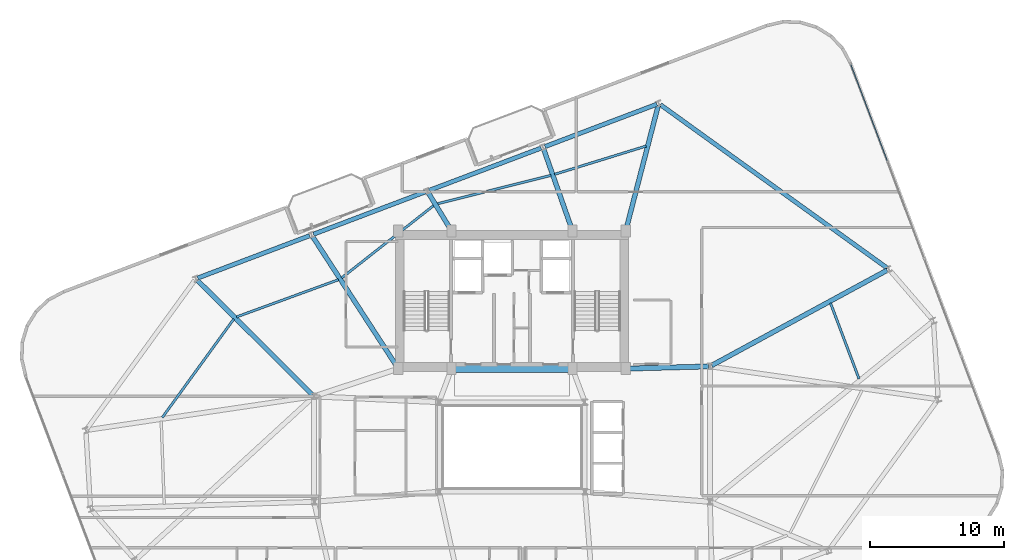
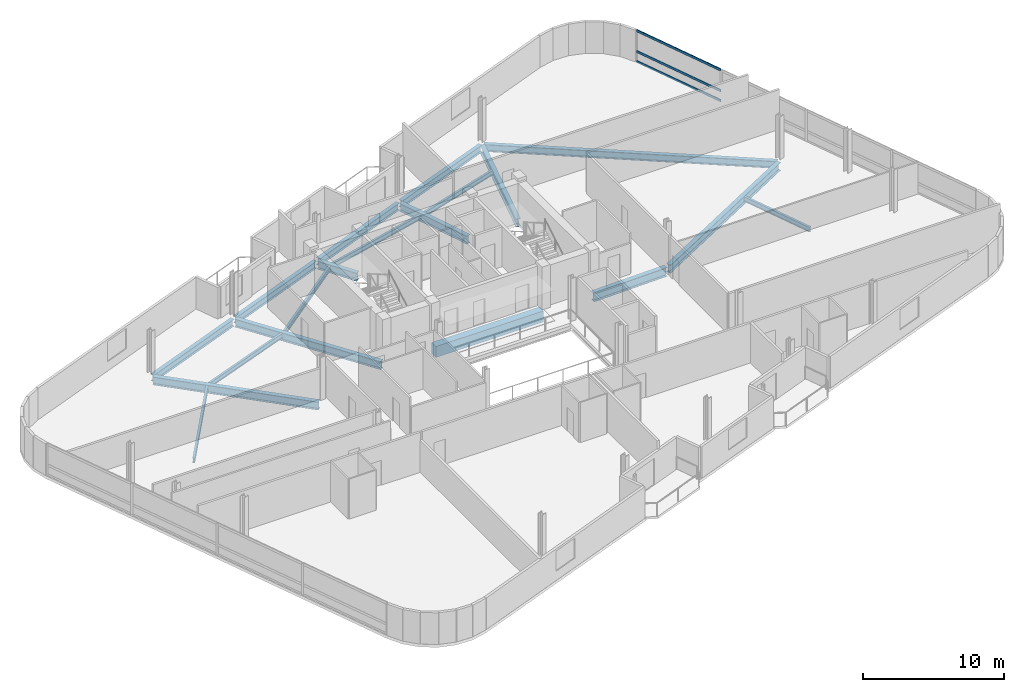
# One storey, part 9 of 19: 19 beams, 3 members, 1 element without a shape of its own.
"""IFC4 building model written with IfcOpenShell, lengths in metres."""

from ifc_helpers import new_model, si_unit, direction, frame, origin, origin_2d, place, context, subcontext, project, spatial, rectangle, hollow_rectangle, i_section, extrude, material, layer, layer_set, material_profile, profile_set, type_object, element, aggregate, save


model = new_model("IFC4")

# Units and contexts
model_context = context("Model", 3, precision=1e-05, world=origin(), true_north=direction((0.0, 1.0)))
body_context = subcontext(model_context, "Body", "Model", "MODEL_VIEW")
ifc_project = project(units=[si_unit("LENGTHUNIT", "METRE"), si_unit("AREAUNIT", "SQUARE_METRE"), si_unit("VOLUMEUNIT", "CUBIC_METRE"), si_unit("PLANEANGLEUNIT", "RADIAN"), si_unit("MASSUNIT", "GRAM", prefix="KILO")], contexts=[model_context])

# Site, building, storey
site_placement = place(None, origin())
site = spatial("IfcSite", under=ifc_project, at=site_placement, CompositionType="ELEMENT")
building_placement = place(site_placement, origin())
building = spatial("IfcBuilding", under=site, at=building_placement, Name="Varnelok Gate Tower", CompositionType="ELEMENT")
storey_placement = place(building_placement, frame((0.0, 0.0, 246.0)))
storey = spatial("IfcBuildingStorey", under=building, at=storey_placement, Name="L63", CompositionType="ELEMENT", Elevation=246.0)

# Beams
ifc_material_1 = material(Name="Structural Steel ASTM A992 Grade 50", Category="steel")
ifc_material_profile_1 = material_profile(ifc_material_1, i_section(OverallWidth=0.180908203125, OverallDepth=0.4169921875, WebThickness=0.010986328125, FlangeThickness=0.018310546875, FilletRadius=0.013916015625, at=origin_2d()), Name="W16X57")
ifc_profile_set_1 = profile_set([ifc_material_profile_1], Name="Structural Steel ASTM A992 Grade 50")
beam_type_1 = type_object("IfcBeamType", Name="BM-JST-W16X57", PredefinedType="JOIST", material=ifc_profile_set_1)
beam_1_placement = place(storey_placement, frame((65.143310546875, 27.989013671875, -0.45849609375), z_axis=(-0.352572889642, 0.935784354159, 0.0), x_axis=(-0.935784354159, -0.352572889642, 0.0)))
element("IfcBeam", 1, at=beam_1_placement, inside=storey, type_object=beam_type_1, Name="L63 Sector Floor Joist 6", PredefinedType="JOIST", context=body_context, shape_type="SweptSolid", body=[
    extrude(i_section(OverallWidth=0.180908203125, OverallDepth=0.4169921875, WebThickness=0.010986328125, FlangeThickness=0.018310546875, FilletRadius=0.013916015625, at=origin_2d()), origin(), (0.0, 0.0, 1.0), 6.052734375),
])
beam_2_placement = place(storey_placement, frame((49.2216796875, 45.388427734375, -0.45849609375), z_axis=(-0.955517656655, -0.294933904156, 0.0), x_axis=(0.294933904156, -0.955517656655, 0.0)))
element("IfcBeam", 2, at=beam_2_placement, inside=storey, type_object=beam_type_1, Name="L63 Sector Floor Joist 7", PredefinedType="JOIST", context=body_context, shape_type="SweptSolid", body=[
    extrude(i_section(OverallWidth=0.180908203125, OverallDepth=0.4169921875, WebThickness=0.010986328125, FlangeThickness=0.018310546875, FilletRadius=0.013916015625, at=origin_2d()), origin(), (0.0, 0.0, 1.0), 7.160400390625),
])
beam_3_placement = place(storey_placement, frame((42.1103515625, 43.201416015625, -0.45849609375), z_axis=(-0.970160511959, -0.242463566409, 0.0), x_axis=(0.242463566409, -0.970160511959, 0.0)))
element("IfcBeam", 3, at=beam_3_placement, inside=storey, type_object=beam_type_1, Name="L63 Sector Floor Joist 8", PredefinedType="JOIST", context=body_context, shape_type="SweptSolid", body=[
    extrude(i_section(OverallWidth=0.180908203125, OverallDepth=0.4169921875, WebThickness=0.010986328125, FlangeThickness=0.018310546875, FilletRadius=0.013916015625, at=origin_2d()), origin(), (0.0, 0.0, 1.0), 8.769287109375),
])
beam_4_placement = place(storey_placement, frame((33.35693359375, 40.95458984375, -0.45849609375), z_axis=(-0.785926773735, -0.618319582681, 0.0), x_axis=(0.618319582681, -0.785926773735, 0.0)))
element("IfcBeam", 4, at=beam_4_placement, inside=storey, type_object=beam_type_1, Name="L63 Sector Floor Joist 9", PredefinedType="JOIST", context=body_context, shape_type="SweptSolid", body=[
    extrude(i_section(OverallWidth=0.180908203125, OverallDepth=0.4169921875, WebThickness=0.010986328125, FlangeThickness=0.018310546875, FilletRadius=0.013916015625, at=origin_2d()), origin(), (0.0, 0.0, 1.0), 8.765869140625),
])
beam_5_placement = place(storey_placement, frame((26.22607421875, 35.399658203125, -0.45849609375), z_axis=(-0.939268098427, -0.343184264321, 0.0), x_axis=(0.343184264321, -0.939268098427, 0.0)))
element("IfcBeam", 5, at=beam_5_placement, inside=storey, type_object=beam_type_1, Name="L63 Sector Floor Joist 10", PredefinedType="JOIST", context=body_context, shape_type="SweptSolid", body=[
    extrude(i_section(OverallWidth=0.180908203125, OverallDepth=0.4169921875, WebThickness=0.010986328125, FlangeThickness=0.018310546875, FilletRadius=0.013916015625, at=origin_2d()), origin(), (0.0, 0.0, 1.0), 8.104248046875),
])
beam_6_placement = place(storey_placement, frame((18.400146484375, 32.45703125, -0.45849609375), z_axis=(-0.587539589771, -0.80919542167, 0.0), x_axis=(0.80919542167, -0.587539589771, 0.0)))
element("IfcBeam", 6, at=beam_6_placement, inside=storey, type_object=beam_type_1, Name="L63 Sector Floor Joist 11", PredefinedType="JOIST", context=body_context, shape_type="SweptSolid", body=[
    extrude(i_section(OverallWidth=0.180908203125, OverallDepth=0.4169921875, WebThickness=0.010986328125, FlangeThickness=0.018310546875, FilletRadius=0.013916015625, at=origin_2d()), origin(), (0.0, 0.0, 1.0), 9.0966796875),
])
ifc_material_2 = material(Name="Concrete C60/75", Category="concrete")
ifc_material_profile_2 = material_profile(ifc_material_2, rectangle(XDim=0.60009765625, YDim=0.949951171875, at=origin_2d()), Name="RC950X600")
ifc_profile_set_2 = profile_set([ifc_material_profile_2], Name="Concrete C60/75")
beam_type_2 = type_object("IfcBeamType", Name="BM-LNT-RC950", PredefinedType="LINTEL", material=ifc_profile_set_2)
beam_7_placement = place(storey_placement, frame((34.800048828125, 28.75, -0.72509765625), z_axis=(1.0, 0.0, 0.0), x_axis=(0.0, 1.0, 0.0)))
element("IfcBeam", 7, at=beam_7_placement, inside=storey, type_object=beam_type_2, Name="L63 Core-Atrium Spine Beam 7", PredefinedType="LINTEL", context=body_context, shape_type="SweptSolid", body=[
    extrude(rectangle(XDim=0.60009765625, YDim=0.949951171875, at=origin_2d()), origin(), (0.0, 0.0, 1.0), 8.800048828125),
])
ifc_material_profile_3 = material_profile(ifc_material_1, i_section(OverallWidth=0.35498046875, OverallDepth=0.696044921875, WebThickness=0.015380859375, FlangeThickness=0.02490234375, FilletRadius=0.02001953125, at=origin_2d()), Name="W27X146")
ifc_profile_set_3 = profile_set([ifc_material_profile_3], Name="Structural Steel ASTM A992 Grade 50")
beam_type_3 = type_object("IfcBeamType", Name="BM-PRI-W27X146", PredefinedType="BEAM", material=ifc_profile_set_3)
beam_8_placement = place(storey_placement, frame((54.1318359375, 28.99169921875, -0.597900390625), z_axis=(0.878855196349, 0.477088612157, 0.0), x_axis=(-0.477088612157, 0.878855196349, 0.0)))
element("IfcBeam", 8, at=beam_8_placement, inside=storey, type_object=beam_type_3, Name="L63 Radial Floor Girder 8", PredefinedType="BEAM", context=body_context, shape_type="SweptSolid", body=[
    extrude(i_section(OverallWidth=0.35498046875, OverallDepth=0.696044921875, WebThickness=0.015380859375, FlangeThickness=0.02490234375, FilletRadius=0.02001953125, at=origin_2d()), origin(), (0.0, 0.0, 1.0), 14.91650390625),
])
beam_9_placement = place(storey_placement, frame((47.73779296875, 39.1953125, -0.597900390625), z_axis=(0.251175366301, 0.967941597083, 0.0), x_axis=(-0.967941597083, 0.251175366301, 0.0)))
element("IfcBeam", 9, at=beam_9_placement, inside=storey, type_object=beam_type_3, Name="L63 Radial Floor Girder 9", PredefinedType="BEAM", context=body_context, shape_type="SweptSolid", body=[
    extrude(i_section(OverallWidth=0.35498046875, OverallDepth=0.696044921875, WebThickness=0.015380859375, FlangeThickness=0.02490234375, FilletRadius=0.02001953125, at=origin_2d()), origin(), (0.0, 0.0, 1.0), 9.537109375),
])
beam_10_placement = place(storey_placement, frame((43.670166015625, 39.19140625, -0.597900390625), z_axis=(-0.332145441042, 0.943228183419, 0.0), x_axis=(-0.943228183419, -0.332145441042, 0.0)))
element("IfcBeam", 10, at=beam_10_placement, inside=storey, type_object=beam_type_3, Name="L63 Radial Floor Girder 10", PredefinedType="BEAM", context=body_context, shape_type="SweptSolid", body=[
    extrude(i_section(OverallWidth=0.35498046875, OverallDepth=0.696044921875, WebThickness=0.015380859375, FlangeThickness=0.02490234375, FilletRadius=0.02001953125, at=origin_2d()), origin(), (0.0, 0.0, 1.0), 6.32275390625),
])
beam_11_placement = place(storey_placement, frame((34.60205078125, 39.177978515625, -0.597900390625), z_axis=(-0.520275699177, 0.853998358808, 0.0), x_axis=(-0.853998358808, -0.520275699177, 0.0)))
element("IfcBeam", 11, at=beam_11_placement, inside=storey, type_object=beam_type_3, Name="L63 Radial Floor Girder 11", PredefinedType="BEAM", context=body_context, shape_type="SweptSolid", body=[
    extrude(i_section(OverallWidth=0.35498046875, OverallDepth=0.696044921875, WebThickness=0.015380859375, FlangeThickness=0.02490234375, FilletRadius=0.02001953125, at=origin_2d()), origin(), (0.0, 0.0, 1.0), 3.18017578125),
])
beam_12_placement = place(storey_placement, frame((30.618408203125, 28.8759765625, -0.597900390625), z_axis=(-0.544016338938, 0.839074623004, 0.0), x_axis=(-0.839074623004, -0.544016338938, 0.0)))
element("IfcBeam", 12, at=beam_12_placement, inside=storey, type_object=beam_type_3, Name="L63 Radial Floor Girder 12", PredefinedType="BEAM", context=body_context, shape_type="SweptSolid", body=[
    extrude(i_section(OverallWidth=0.35498046875, OverallDepth=0.696044921875, WebThickness=0.015380859375, FlangeThickness=0.02490234375, FilletRadius=0.02001953125, at=origin_2d()), origin(), (0.0, 0.0, 1.0), 11.61376953125),
])
beam_13_placement = place(storey_placement, frame((24.293701171875, 26.785888671875, -0.597900390625), z_axis=(-0.708740938647, 0.705468838352, 0.0), x_axis=(-0.705468838352, -0.708740938647, 0.0)))
element("IfcBeam", 13, at=beam_13_placement, inside=storey, type_object=beam_type_3, Name="L63 Radial Floor Girder 13", PredefinedType="BEAM", context=body_context, shape_type="SweptSolid", body=[
    extrude(i_section(OverallWidth=0.35498046875, OverallDepth=0.696044921875, WebThickness=0.015380859375, FlangeThickness=0.02490234375, FilletRadius=0.02001953125, at=origin_2d()), origin(), (0.0, 0.0, 1.0), 12.161865234375),
])
ifc_material_profile_4 = material_profile(ifc_material_1, i_section(OverallWidth=0.381103515625, OverallDepth=0.77294921875, WebThickness=0.0166015625, FlangeThickness=0.027099609375, FilletRadius=0.02197265625, at=origin_2d()), Name="W30X173")
ifc_profile_set_4 = profile_set([ifc_material_profile_4], Name="Structural Steel ASTM A992 Grade 50")
beam_type_4 = type_object("IfcBeamType", Name="BM-PRI-W30X173", PredefinedType="BEAM", material=ifc_profile_set_4)
beam_14_placement = place(storey_placement, frame((47.820068359375, 28.753173828125, -0.636474609375), z_axis=(0.999635880609, 0.026983443053, 0.0), x_axis=(-0.026983443053, 0.999635880609, 0.0)))
element("IfcBeam", 14, at=beam_14_placement, inside=storey, type_object=beam_type_4, Name="L63 Core-Atrium Spine Beam 19", PredefinedType="BEAM", context=body_context, shape_type="SweptSolid", body=[
    extrude(i_section(OverallWidth=0.381103515625, OverallDepth=0.77294921875, WebThickness=0.0166015625, FlangeThickness=0.027099609375, FilletRadius=0.02197265625, at=origin_2d()), origin(), (0.0, 0.0, 1.0), 6.06201171875),
])
ifc_material_profile_5 = material_profile(ifc_material_1, i_section(OverallWidth=0.323974609375, OverallDepth=0.611083984375, WebThickness=0.0126953125, FlangeThickness=0.01904296875, FilletRadius=0.01806640625, at=origin_2d()), Name="W24X104")
ifc_profile_set_5 = profile_set([ifc_material_profile_5], Name="Structural Steel ASTM A992 Grade 50")
beam_type_5 = type_object("IfcBeamType", Name="BM-SPN-W24X104", PredefinedType="SPANDREL", material=ifc_profile_set_5)
beam_15_placement = place(storey_placement, frame((67.251220703125, 36.267333984375, -0.555419921875), z_axis=(-0.811382769408, 0.58451518501, 0.0), x_axis=(-0.58451518501, -0.811382769408, 0.0)))
element("IfcBeam", 15, at=beam_15_placement, inside=storey, type_object=beam_type_5, Name="L63 Perimeter Spandrel Beam 8", PredefinedType="SPANDREL", context=body_context, shape_type="SweptSolid", body=[
    extrude(i_section(OverallWidth=0.323974609375, OverallDepth=0.611083984375, WebThickness=0.0126953125, FlangeThickness=0.01904296875, FilletRadius=0.01806640625, at=origin_2d()), origin(), (0.0, 0.0, 1.0), 20.900634765625),
])
beam_16_placement = place(storey_placement, frame((50.03076171875, 48.518798828125, -0.555419921875), z_axis=(-0.935220356141, -0.354066216208, 0.0), x_axis=(0.354066216208, -0.935220356141, 0.0)))
element("IfcBeam", 16, at=beam_16_placement, inside=storey, type_object=beam_type_5, Name="L63 Perimeter Spandrel Beam 9", PredefinedType="SPANDREL", context=body_context, shape_type="SweptSolid", body=[
    extrude(i_section(OverallWidth=0.323974609375, OverallDepth=0.611083984375, WebThickness=0.0126953125, FlangeThickness=0.01904296875, FilletRadius=0.01806640625, at=origin_2d()), origin(), (0.0, 0.0, 1.0), 8.9501953125),
])
for number, where, z_axis, x_axis, name in (
    (17, (41.3798828125, 45.24365234375, -0.555419921875), (-0.935225969099, -0.354051389947, 0.0), (0.354051389947, -0.935225969099, 0.0), "L63 Perimeter Spandrel Beam 10"),
    (18, (32.72900390625, 41.96875, -0.555419921875), (-0.935216936382, -0.354075248928, 0.0), (0.354075248928, -0.935216936382, 0.0), "L63 Perimeter Spandrel Beam 11"),
):
    element("IfcBeam", number, at=place(storey_placement, frame(where, z_axis=z_axis, x_axis=x_axis)), inside=storey, type_object=beam_type_5, Name=name, PredefinedType="SPANDREL", context=body_context, shape_type="SweptSolid", body=[
        extrude(i_section(OverallWidth=0.323974609375, OverallDepth=0.611083984375, WebThickness=0.0126953125, FlangeThickness=0.01904296875, FilletRadius=0.01806640625, at=origin_2d()), origin(), (0.0, 0.0, 1.0), 8.949951171875),
    ])
beam_17_placement = place(storey_placement, frame((24.078369140625, 38.693603515625, -0.555419921875), z_axis=(-0.935220356141, -0.354066216208, 0.0), x_axis=(0.354066216208, -0.935220356141, 0.0)))
element("IfcBeam", 19, at=beam_17_placement, inside=storey, type_object=beam_type_5, Name="L63 Perimeter Spandrel Beam 12", PredefinedType="SPANDREL", context=body_context, shape_type="SweptSolid", body=[
    extrude(i_section(OverallWidth=0.323974609375, OverallDepth=0.611083984375, WebThickness=0.0126953125, FlangeThickness=0.01904296875, FilletRadius=0.01806640625, at=origin_2d()), origin(), (0.0, 0.0, 1.0), 8.9501953125),
])

# Curtain wall, members
ifc_material_3 = material(Name="Anodized Aluminum Alloy 6063-T6", Category="aluminium")
ifc_layer = layer(ifc_material_3, 0.179931640625)
ifc_layer_set = layer_set([ifc_layer], Name="Anodized Aluminum Alloy 6063-T6")
curtain_wall_type = type_object("IfcCurtainWallType", Name="CW4-RESIDENCE-VISION", PredefinedType="USERDEFINED", material=ifc_layer_set)
curtain_wall_placement = place(storey_placement, origin())
curtain_wall = element("IfcCurtainWall", 20, at=curtain_wall_placement, inside=storey, type_object=curtain_wall_type, Name="L63 East End Vision Curtain Wall", ObjectType="UNITISED CURTAIN WALL", PredefinedType="USERDEFINED")
ifc_material_profile_6 = material_profile(ifc_material_3, hollow_rectangle(XDim=0.074951171875, YDim=0.199951171875, WallThickness=0.00390625, at=origin_2d()), Name="ALU200X75X4")
ifc_profile_set_6 = profile_set([ifc_material_profile_6], Name="Anodized Aluminum Alloy 6063-T6")
member_type = type_object("IfcMemberType", Name="CW-TRAN-200", PredefinedType="USERDEFINED", material=ifc_profile_set_6)
member_1_placement = place(storey_placement, frame((64.528076171875, 51.4892578125, 0.03759765625), z_axis=(0.354073041953, -0.935217771945, 0.0), x_axis=(0.935217771945, 0.354073041953, 0.0)))
member_1 = element("IfcMember", 21, at=member_1_placement, type_object=member_type, Name="CW4 transom 1.1", ObjectType="TRANSOM", PredefinedType="USERDEFINED", context=body_context, shape_type="SweptSolid", body=[
    extrude(hollow_rectangle(XDim=0.074951171875, YDim=0.199951171875, WallThickness=0.00390625, at=origin_2d()), origin(), (0.0, 0.0, 1.0), 7.6875),
])
member_2_placement = place(storey_placement, frame((64.528076171875, 51.4892578125, 0.89990234375), z_axis=(0.354073041953, -0.935217771945, 0.0), x_axis=(0.935217771945, 0.354073041953, 0.0)))
member_2 = element("IfcMember", 22, at=member_2_placement, type_object=member_type, Name="CW4 transom 1.2", ObjectType="TRANSOM", PredefinedType="USERDEFINED", context=body_context, shape_type="SweptSolid", body=[
    extrude(hollow_rectangle(XDim=0.074951171875, YDim=0.199951171875, WallThickness=0.00390625, at=origin_2d()), origin(), (0.0, 0.0, 1.0), 7.6875),
])
member_3_placement = place(storey_placement, frame((64.528076171875, 51.4892578125, 2.6923828125), z_axis=(0.354073041953, -0.935217771945, 0.0), x_axis=(0.935217771945, 0.354073041953, 0.0)))
member_3 = element("IfcMember", 23, at=member_3_placement, type_object=member_type, Name="CW4 transom 1.3", ObjectType="TRANSOM", PredefinedType="USERDEFINED", context=body_context, shape_type="SweptSolid", body=[
    extrude(hollow_rectangle(XDim=0.074951171875, YDim=0.199951171875, WallThickness=0.00390625, at=origin_2d()), origin(), (0.0, 0.0, 1.0), 7.6875),
])
aggregate(curtain_wall, [member_1, member_2, member_3])

save(model, "model.ifc")
